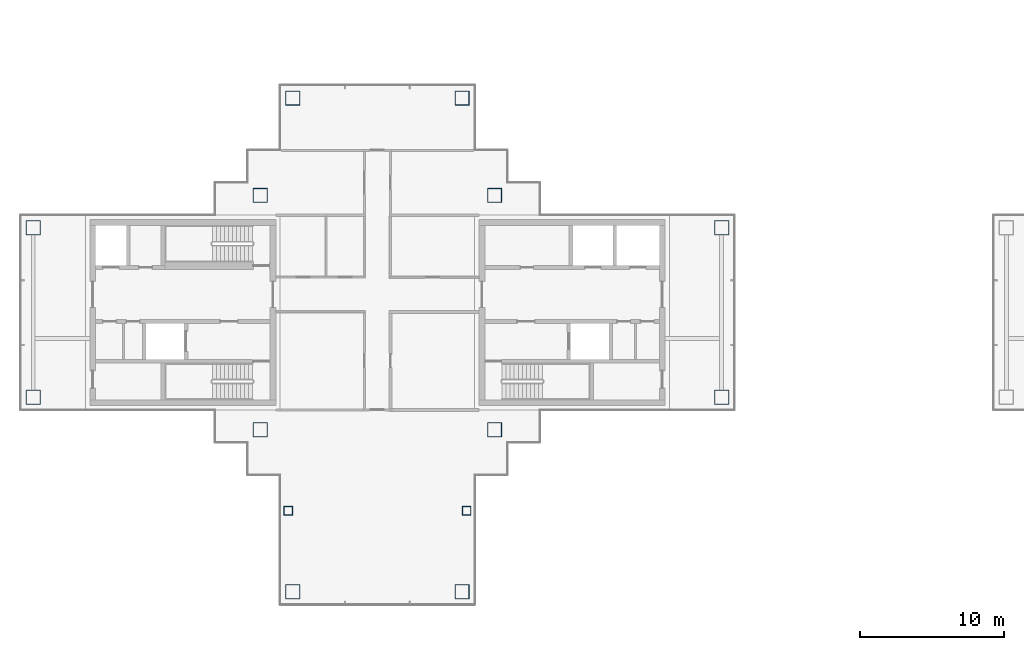
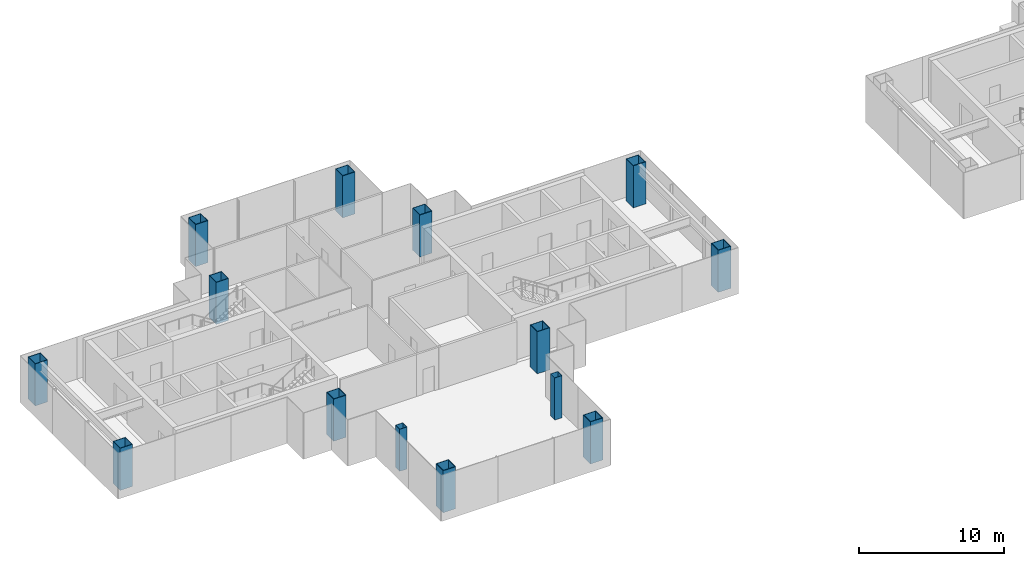
# One storey, part 1 of 16: 14 columns.
"""IFC4 building model written with IfcOpenShell, lengths in metres."""

from ifc_helpers import new_model, si_unit, direction, frame, origin, origin_2d, place, context, subcontext, project, spatial, hollow_rectangle, extrude, material, material_profile, profile_set, type_object, element, save


model = new_model("IFC4")

# Units and contexts
model_context = context("Model", 3, precision=1e-05, world=origin(), true_north=direction((0.0, 1.0)))
body_context = subcontext(model_context, "Body", "Model", "MODEL_VIEW")
ifc_project = project(units=[si_unit("LENGTHUNIT", "METRE"), si_unit("AREAUNIT", "SQUARE_METRE"), si_unit("VOLUMEUNIT", "CUBIC_METRE"), si_unit("PLANEANGLEUNIT", "RADIAN"), si_unit("MASSUNIT", "GRAM", prefix="KILO")], contexts=[model_context])

# Site, building, storey
site_placement = place(None, origin())
site = spatial("IfcSite", under=ifc_project, at=site_placement, CompositionType="ELEMENT")
building_placement = place(site_placement, origin())
building = spatial("IfcBuilding", under=site, at=building_placement, Name="Shamsa Quay Exchange Towers", CompositionType="ELEMENT")
storey_placement = place(building_placement, frame((0.0, 0.0, 213.89990234375)))
storey = spatial("IfcBuildingStorey", under=building, at=storey_placement, Name="L51", CompositionType="ELEMENT", Elevation=213.89990234375)

# Columns
ifc_material_1 = material(Name="Concrete-filled steel tube S355 / C80/95", Category="concrete")
ifc_material_profile_1 = material_profile(ifc_material_1, hollow_rectangle(XDim=1.0, YDim=1.0, WallThickness=0.0400390625, at=origin_2d()), Name="CFT 1000x1000x40")
ifc_profile_set_1 = profile_set([ifc_material_profile_1], Name="Concrete-filled steel tube S355 / C80/95")
column_type_1 = type_object("IfcColumnType", Name="Column CFT 1000x1000x40", PredefinedType="COLUMN", material=ifc_profile_set_1)
for number, where, name in (
    (1, (-25.625, 8.125, 0.0), "Mega column T1-CM01"),
    (2, (-25.625, -8.125, 0.0), "Mega column T1-CM02"),
    (3, (-41.875, 8.125, 0.0), "Mega column T1-CM03"),
    (4, (-41.875, -8.125, 0.0), "Mega column T1-CM04"),
    (5, (-9.875, -5.875, 0.0), "Mega column T1-CM05"),
    (6, (-9.875, 5.875, 0.0), "Mega column T1-CM07"),
    (7, (-57.625, -5.875, 0.0), "Mega column T1-CM09"),
    (8, (-57.625, 5.875, 0.0), "Mega column T1-CM11"),
    (9, (-39.625, 14.875, 0.0), "Mega column T1-CM13"),
    (10, (-27.875, 14.875, 0.0), "Mega column T1-CM16"),
    (11, (-39.625, -19.375, 0.0), "Mega column T1-CM20"),
    (12, (-27.875, -19.375, 0.0), "Mega column T1-CM23"),
):
    element("IfcColumn", number, at=place(storey_placement, frame(where)), inside=storey, type_object=column_type_1, Name=name, PredefinedType="COLUMN", context=body_context, shape_type="SweptSolid", body=[
        extrude(hollow_rectangle(XDim=1.0, YDim=1.0, WallThickness=0.0400390625, at=origin_2d()), origin(), (0.0, 0.0, 1.0), 3.550048828125),
    ])
ifc_material_2 = material(Name="Concrete-filled steel tube S355 / C60/75", Category="concrete")
ifc_material_profile_2 = material_profile(ifc_material_2, hollow_rectangle(XDim=0.60009765625, YDim=0.60009765625, WallThickness=0.02001953125, at=origin_2d()), Name="CFT 600x600x20")
ifc_profile_set_2 = profile_set([ifc_material_profile_2], Name="Concrete-filled steel tube S355 / C60/75")
column_type_2 = type_object("IfcColumnType", Name="Column CFT 600x600x20", PredefinedType="COLUMN", material=ifc_profile_set_2)
for number, where, name in (
    (13, (-39.9375, -13.75, 0.0), "Perimeter column T1-CP19"),
    (14, (-27.5625, -13.75, 0.0), "Perimeter column T1-CP22"),
):
    element("IfcColumn", number, at=place(storey_placement, frame(where)), inside=storey, type_object=column_type_2, Name=name, PredefinedType="COLUMN", context=body_context, shape_type="SweptSolid", body=[
        extrude(hollow_rectangle(XDim=0.60009765625, YDim=0.60009765625, WallThickness=0.02001953125, at=origin_2d()), origin(), (0.0, 0.0, 1.0), 3.550048828125),
    ])

save(model, "model.ifc")
